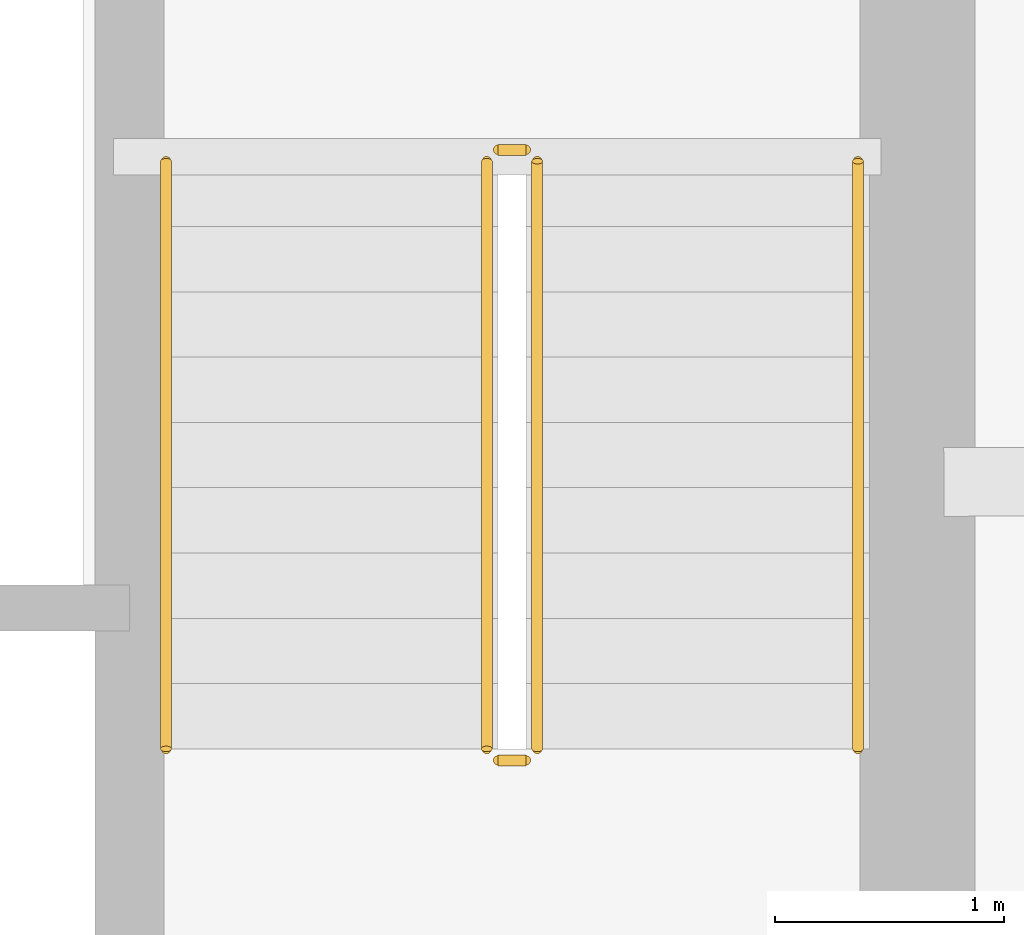
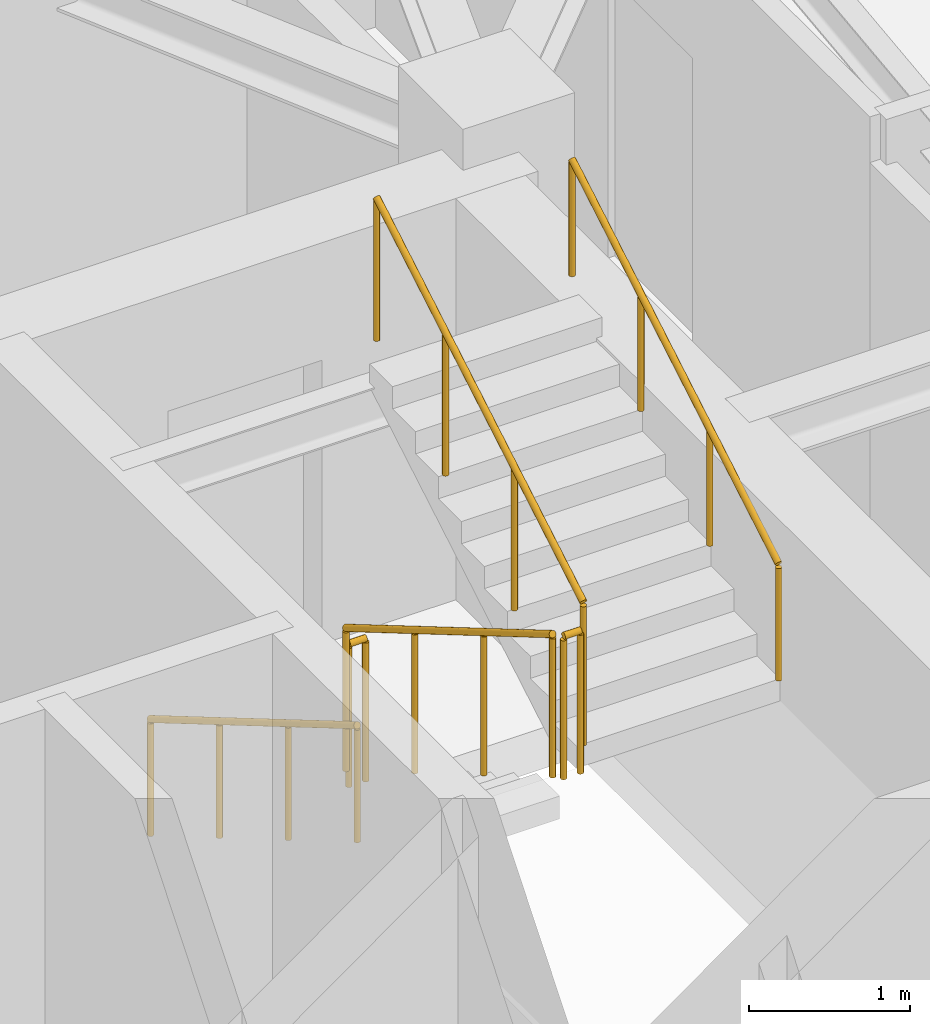
# One storey, part 11 of 11: 6 railings.
"""IFC4 building model written with IfcOpenShell, lengths in metres."""

import ifcopenshell
import ifcopenshell.guid

model = None  # the IFC model being written
_history = None  # IfcOwnerHistory: only IFC2X3 demands one
_inside = {}  # id of a spatial element -> (the spatial element, [elements in it])
_under = {}  # id of a project, library or spatial element -> (it, [spatial elements below it])
_declared = {}  # id of a project -> (the project, [libraries it declares])
_typed = {}  # id of a type object -> (the type object, [elements of that type])
_made_of = {}  # id of a material, layer set ... -> (it, [elements and type objects made of it])


def new_model(schema):
    """Start an empty IFC model of exactly this schema.

    Asked for "IFC4X3", IfcOpenShell would pick the latest addendum, in which some entities
    have other attributes; the version numbers below select the first issue.
    IFC2X3 requires an IfcOwnerHistory on every rooted entity: one is made here for all.
    """
    global model, _history
    if schema == "IFC4X3":
        model = ifcopenshell.file(schema_version=(4, 3, 0, 0))
    else:
        model = ifcopenshell.file(schema=schema)
    _inside.clear()
    _under.clear()
    _declared.clear()
    _typed.clear()
    _made_of.clear()
    _history = None
    if model.schema == "IFC2X3":
        org = make("IfcOrganization", Name="unknown")
        user = make(
            "IfcPersonAndOrganization",
            ThePerson=make("IfcPerson", FamilyName="unknown"),
            TheOrganization=org,
        )
        app = make(
            "IfcApplication",
            ApplicationDeveloper=org,
            Version="unknown",
            ApplicationFullName="unknown",
            ApplicationIdentifier="unknown",
        )
        _history = make(
            "IfcOwnerHistory",
            OwningUser=user,
            OwningApplication=app,
            ChangeAction="ADDED",
            CreationDate=0,
        )
    return model


def make(cls, **values):
    """One entity of the class cls with the attributes given. An attribute that is None is left unset."""
    return model.create_entity(
        cls, **{name: value for name, value in values.items() if value is not None}
    )


def rooted(cls, **values):
    """An entity with a GlobalId (a new one), such as an element, a storey or a relation."""
    return make(cls, GlobalId=ifcopenshell.guid.new(), OwnerHistory=_history, **values)


def si_unit(unit_type, name, prefix=None):
    """IfcSIUnit, for example si_unit("LENGTHUNIT", "METRE", prefix="MILLI")."""
    return make("IfcSIUnit", UnitType=unit_type, Prefix=prefix, Name=name)


def assignment(units):
    """IfcUnitAssignment: the units of a project."""
    return None if units is None else make("IfcUnitAssignment", Units=units)


def point(xyz):
    """IfcCartesianPoint."""
    return None if xyz is None else make("IfcCartesianPoint", Coordinates=xyz)


def direction(xyz):
    """IfcDirection."""
    return None if xyz is None else make("IfcDirection", DirectionRatios=xyz)


def frame(location, z_axis=None, x_axis=None):
    """IfcAxis2Placement3D, a coordinate frame: its origin and axes. An axis left out is left unset."""
    return make(
        "IfcAxis2Placement3D",
        Location=point(location),
        Axis=direction(z_axis),
        RefDirection=direction(x_axis),
    )


def frame_2d(location, x_axis=None):
    """IfcAxis2Placement2D, a coordinate frame in the plane: its origin and x axis."""
    return make(
        "IfcAxis2Placement2D", Location=point(location), RefDirection=direction(x_axis)
    )


def origin():
    """The frame at (0, 0, 0) with its axes left unset."""
    return frame((0.0, 0.0, 0.0))


def origin_2d():
    """The frame at (0, 0) in the plane with its x axis left unset."""
    return frame_2d((0.0, 0.0))


def place(relative_to, where):
    """IfcLocalPlacement: puts the frame where relative to a parent placement (None: the world)."""
    return make(
        "IfcLocalPlacement", PlacementRelTo=relative_to, RelativePlacement=where
    )


def context(
    kind, dimensions, precision=None, world=None, true_north=None, identifier=None
):
    """IfcGeometricRepresentationContext, for example the 3D "Model" context."""
    return make(
        "IfcGeometricRepresentationContext",
        ContextIdentifier=identifier,
        ContextType=kind,
        CoordinateSpaceDimension=dimensions,
        Precision=precision,
        WorldCoordinateSystem=world,
        TrueNorth=true_north,
    )


def subcontext(parent, identifier, kind, view, scale=None):
    """IfcGeometricRepresentationSubContext, for example "Body" below "Model"."""
    return make(
        "IfcGeometricRepresentationSubContext",
        ContextIdentifier=identifier,
        ContextType=kind,
        ParentContext=parent,
        TargetScale=scale,
        TargetView=view,
    )


def project(units=None, contexts=None):
    """IfcProject with its units and contexts."""
    return rooted(
        "IfcProject",
        Name="project",
        RepresentationContexts=contexts,
        UnitsInContext=assignment(units),
    )


def spatial(cls, under=None, at=None, **own):
    """A site, building, storey or space (cls), placed at a placement, below another one or the project."""
    s = rooted(cls, ObjectPlacement=at, **own)
    if under is not None:
        _under.setdefault(under.id(), (under, []))[1].append(s)
    return s


def profile(cls, at=None, kind="AREA", **sizes):
    """A parametric profile (cls). Its sizes go by their IFC names, for example OverallWidth=200.0."""
    return make(cls, ProfileType=kind, Position=at, **sizes)


def circle(**sizes):
    """IfcCircleProfileDef."""
    return profile("IfcCircleProfileDef", **sizes)


def extrude(swept, where, along, depth):
    """IfcExtrudedAreaSolid: the profile swept, set in the frame where, extruded along a direction by depth."""
    return make(
        "IfcExtrudedAreaSolid",
        SweptArea=swept,
        Position=where,
        ExtrudedDirection=direction(along),
        Depth=depth,
    )


def shape(context_of_items, identifier, shape_type, items):
    """IfcShapeRepresentation: the items that make up one representation, for example the "Body"."""
    return make(
        "IfcShapeRepresentation",
        ContextOfItems=context_of_items,
        RepresentationIdentifier=identifier,
        RepresentationType=shape_type,
        Items=items,
    )


def material(Name=None, Category=None):
    """IfcMaterial."""
    return make("IfcMaterial", Name=Name, Category=Category)


def made_of(thing, what):
    """Note that an element or type object is made of a material, layer set ...; save() writes the relation."""
    if what is not None:
        _made_of.setdefault(what.id(), (what, []))[1].append(thing)
    return thing


def type_object(cls, material=None, **own):
    """A type object (cls), such as IfcWallType, which elements share."""
    return made_of(rooted(cls, **own), material)


def element(
    cls,
    number,
    at=None,
    inside=None,
    cuts=None,
    type_object=None,
    material=None,
    context=None,
    identifier="Body",
    shape_type=None,
    held_by="IfcProductDefinitionShape",
    body=None,
    shapes=None,
    **own,
):
    """One element of the class cls, such as IfcWall. Its Tag is "e" and its number.

    at: its placement. inside: the storey or other place that contains it. cuts: it is an
    opening in that element (IfcRelVoidsElement). A single representation is given by context,
    identifier, shape_type and body (its items); several are given by shapes. held_by: the class
    of the entity that holds the representations. save() writes the other relations.
    """
    e = rooted(cls, Tag="e%d" % number, ObjectPlacement=at, **own)
    if body is not None:
        shapes = [shape(context, identifier, shape_type, body)]
    if shapes is not None:
        e.Representation = make(held_by, Representations=shapes)
    if inside is not None:
        _inside.setdefault(inside.id(), (inside, []))[1].append(e)
    if cuts is not None:
        rooted(
            "IfcRelVoidsElement", RelatingBuildingElement=cuts, RelatedOpeningElement=e
        )
    if type_object is not None:
        _typed.setdefault(type_object.id(), (type_object, []))[1].append(e)
    return made_of(e, material)


def aggregate(whole, parts):
    """IfcRelAggregates: a whole, such as a stair, and the parts it consists of."""
    return rooted("IfcRelAggregates", RelatingObject=whole, RelatedObjects=parts)


def save(model, path):
    """Write the relations noted so far, then the file.

    IfcRelAggregates (storeys below a building ...), IfcRelContainedInSpatialStructure (elements
    in a storey), IfcRelDefinesByType, IfcRelAssociatesMaterial and IfcRelDeclares: one each for
    every whole, place, type object, material and project.
    """
    for whole, parts in _under.values():
        aggregate(whole, parts)
    for where, things in _inside.values():
        rooted(
            "IfcRelContainedInSpatialStructure",
            RelatedElements=things,
            RelatingStructure=where,
        )
    for kind, things in _typed.values():
        rooted("IfcRelDefinesByType", RelatedObjects=things, RelatingType=kind)
    for what, things in _made_of.values():
        rooted("IfcRelAssociatesMaterial", RelatedObjects=things, RelatingMaterial=what)
    for by, libraries in _declared.values():
        rooted("IfcRelDeclares", RelatingContext=by, RelatedDefinitions=libraries)
    model.write(path)


model = new_model("IFC4")

# Units and contexts
model_context = context("Model", 3, precision=1e-05, world=origin(), true_north=direction((0.0, 1.0)))
body_context = subcontext(model_context, "Body", "Model", "MODEL_VIEW")
ifc_project = project(units=[si_unit("LENGTHUNIT", "METRE"), si_unit("AREAUNIT", "SQUARE_METRE"), si_unit("VOLUMEUNIT", "CUBIC_METRE"), si_unit("PLANEANGLEUNIT", "RADIAN"), si_unit("MASSUNIT", "GRAM", prefix="KILO")], contexts=[model_context])

# Site, building, storey
site_placement = place(None, origin())
site = spatial("IfcSite", under=ifc_project, at=site_placement, CompositionType="ELEMENT")
building_placement = place(site_placement, origin())
building = spatial("IfcBuilding", under=site, at=building_placement, Name="Qobustan Lattice House", CompositionType="ELEMENT")
storey_placement = place(building_placement, frame((0.0, 0.0, 206.449951171875)))
storey = spatial("IfcBuildingStorey", under=building, at=storey_placement, Name="L58", CompositionType="ELEMENT", Elevation=206.449951171875)

# Railings
ifc_material_1 = material(Name="Brushed stainless steel handrail", Category="steel")
railing_type_1 = type_object("IfcRailingType", Name="RAL-HR-920", PredefinedType="HANDRAIL", material=ifc_material_1)
railing_1_placement = place(storey_placement, frame((15.179931640625, 3.5, 0.16748046875)))
element("IfcRailing", 1, at=railing_1_placement, inside=storey, type_object=railing_type_1, Name="L58 ST-E1 stair handrail 1", PredefinedType="HANDRAIL", context=body_context, shape_type="SweptSolid", body=[
    extrude(circle(Radius=0.02392578125, at=origin_2d()), frame((0.0, 0.0, 0.8759765625), z_axis=(0.0, -0.862113467892, 0.50671527358), x_axis=(1.0, 0.0, 0.0)), (0.0, 0.0, 1.0), 2.97509765625),
    extrude(circle(Radius=0.02099609375, at=origin_2d()), origin(), (0.0, 0.0, 1.0), 0.851806640625),
    extrude(circle(Radius=0.02099609375, at=origin_2d()), frame((0.0, -0.85498046875, 0.50244140625)), (0.0, 0.0, 1.0), 0.851806640625),
    extrude(circle(Radius=0.02099609375, at=origin_2d()), frame((0.0, -1.7099609375, 1.005126953125)), (0.0, 0.0, 1.0), 0.851806640625),
    extrude(circle(Radius=0.02099609375, at=origin_2d()), frame((0.0, -2.56494140625, 1.507568359375)), (0.0, 0.0, 1.0), 0.851806640625),
])
railing_2_placement = place(storey_placement, frame((18.199951171875, 0.93505859375, 1.842529296875)))
element("IfcRailing", 2, at=railing_2_placement, inside=storey, type_object=railing_type_1, Name="L58 ST-E1 stair handrail 2", PredefinedType="HANDRAIL", context=body_context, shape_type="SweptSolid", body=[
    extrude(circle(Radius=0.02392578125, at=origin_2d()), frame((0.0, 0.0, 0.8759765625), z_axis=(0.0, 0.862113467892, 0.50671527358), x_axis=(-1.0, 0.0, 0.0)), (0.0, 0.0, 1.0), 2.97509765625),
    extrude(circle(Radius=0.02099609375, at=origin_2d()), origin(), (0.0, 0.0, 1.0), 0.851806640625),
    extrude(circle(Radius=0.02099609375, at=origin_2d()), frame((0.0, 0.85498046875, 0.50244140625)), (0.0, 0.0, 1.0), 0.851806640625),
    extrude(circle(Radius=0.02099609375, at=origin_2d()), frame((0.0, 1.7099609375, 1.005126953125)), (0.0, 0.0, 1.0), 0.851806640625),
    extrude(circle(Radius=0.02099609375, at=origin_2d()), frame((0.0, 2.56494140625, 1.507568359375)), (0.0, 0.0, 1.0), 0.851806640625),
])
ifc_material_2 = material(Name="Painted galvanized steel guardrail", Category="steel")
railing_type_2 = type_object("IfcRailingType", Name="RAL-STG-1150", PredefinedType="GUARDRAIL", material=ifc_material_2)
railing_3_placement = place(storey_placement, frame((16.580078125, 3.5, 0.16748046875)))
element("IfcRailing", 3, at=railing_3_placement, inside=storey, type_object=railing_type_2, Name="L58 ST-E1 stair guard 1", PredefinedType="GUARDRAIL", context=body_context, shape_type="SweptSolid", body=[
    extrude(circle(Radius=0.02392578125, at=origin_2d()), frame((0.0, 0.0, 1.076171875), z_axis=(0.0, -0.862113467892, 0.50671527358), x_axis=(1.0, 0.0, 0.0)), (0.0, 0.0, 1.0), 2.97509765625),
    extrude(circle(Radius=0.02099609375, at=origin_2d()), origin(), (0.0, 0.0, 1.0), 1.052001953125),
    extrude(circle(Radius=0.02099609375, at=origin_2d()), frame((0.0, -0.85498046875, 0.50244140625)), (0.0, 0.0, 1.0), 1.052001953125),
    extrude(circle(Radius=0.02099609375, at=origin_2d()), frame((0.0, -1.7099609375, 1.005126953125)), (0.0, 0.0, 1.0), 1.052001953125),
    extrude(circle(Radius=0.02099609375, at=origin_2d()), frame((0.0, -2.56494140625, 1.507568359375)), (0.0, 0.0, 1.0), 1.052001953125),
])
railing_4_placement = place(storey_placement, frame((16.6298828125, 0.885009765625, 1.675048828125)))
element("IfcRailing", 4, at=railing_4_placement, inside=storey, type_object=railing_type_2, Name="L58 ST-E1 stair guard 2", PredefinedType="GUARDRAIL", context=body_context, shape_type="SweptSolid", body=[
    extrude(circle(Radius=0.02392578125, at=origin_2d()), frame((0.0, 0.0, 1.076171875), z_axis=(1.0, 0.0, 0.0), x_axis=(0.0, 1.0, 0.0)), (0.0, 0.0, 1.0), 0.1201171875),
    extrude(circle(Radius=0.02099609375, at=origin_2d()), origin(), (0.0, 0.0, 1.0), 1.052001953125),
    extrude(circle(Radius=0.02099609375, at=origin_2d()), frame((0.1201171875, 0.0, 0.0)), (0.0, 0.0, 1.0), 1.052001953125),
])
railing_5_placement = place(storey_placement, frame((16.800048828125, 0.93505859375, 1.842529296875)))
element("IfcRailing", 5, at=railing_5_placement, inside=storey, type_object=railing_type_2, Name="L58 ST-E1 stair guard 3", PredefinedType="GUARDRAIL", context=body_context, shape_type="SweptSolid", body=[
    extrude(circle(Radius=0.02392578125, at=origin_2d()), frame((0.0, 0.0, 1.076171875), z_axis=(0.0, 0.862113467892, 0.50671527358), x_axis=(-1.0, 0.0, 0.0)), (0.0, 0.0, 1.0), 2.97509765625),
    extrude(circle(Radius=0.02099609375, at=origin_2d()), origin(), (0.0, 0.0, 1.0), 1.052001953125),
    extrude(circle(Radius=0.02099609375, at=origin_2d()), frame((0.0, 0.85498046875, 0.50244140625)), (0.0, 0.0, 1.0), 1.052001953125),
    extrude(circle(Radius=0.02099609375, at=origin_2d()), frame((0.0, 1.7099609375, 1.005126953125)), (0.0, 0.0, 1.0), 1.052001953125),
    extrude(circle(Radius=0.02099609375, at=origin_2d()), frame((0.0, 2.56494140625, 1.507568359375)), (0.0, 0.0, 1.0), 1.052001953125),
])
railing_6_placement = place(storey_placement, frame((16.6298828125, 3.550048828125, 0.0)))
element("IfcRailing", 6, at=railing_6_placement, inside=storey, type_object=railing_type_2, Name="L58 ST-E1 stair guard 4", PredefinedType="GUARDRAIL", context=body_context, shape_type="SweptSolid", body=[
    extrude(circle(Radius=0.02392578125, at=origin_2d()), frame((0.0, 0.0, 1.076171875), z_axis=(1.0, 0.0, 0.0), x_axis=(0.0, 1.0, 0.0)), (0.0, 0.0, 1.0), 0.1201171875),
    extrude(circle(Radius=0.02099609375, at=origin_2d()), origin(), (0.0, 0.0, 1.0), 1.052001953125),
    extrude(circle(Radius=0.02099609375, at=origin_2d()), frame((0.1201171875, 0.0, 0.0)), (0.0, 0.0, 1.0), 1.052001953125),
])

save(model, "model.ifc")
